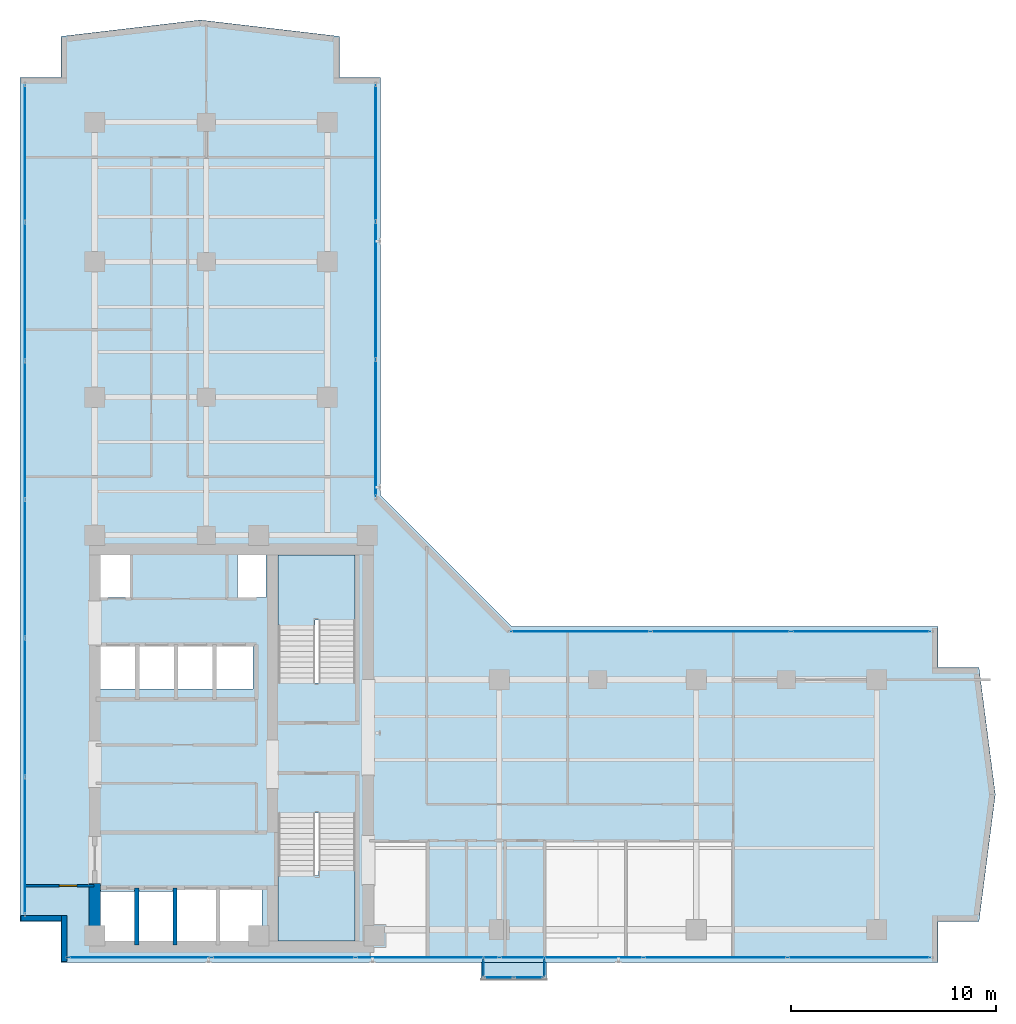
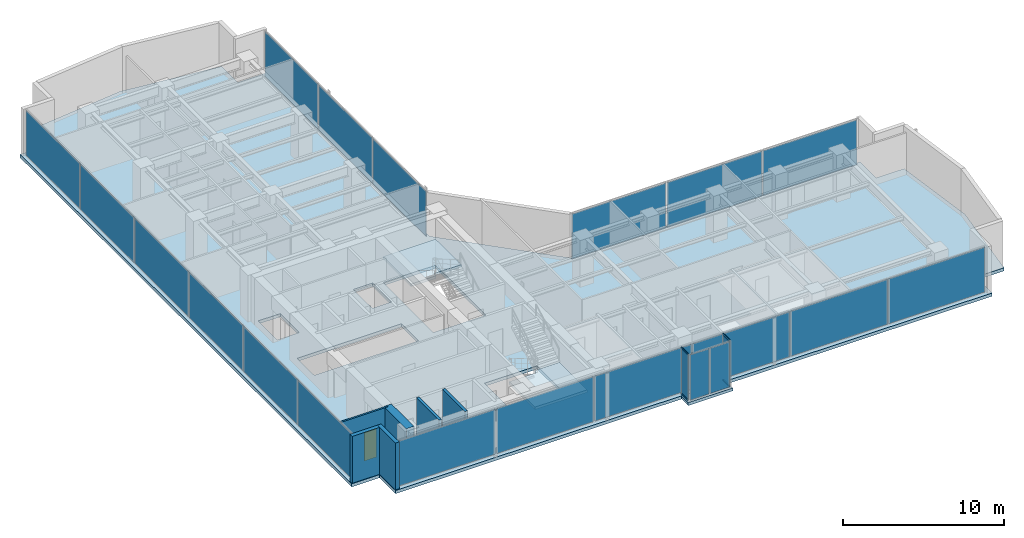
# One storey, part 16 of 22: 22 plates, 6 walls, 4 members, 4 slabs, 1 door, 1 opening, 9 elements without a shape of their own.
"""IFC4 building model written with IfcOpenShell, lengths in metres."""

from ifc_helpers import new_model, si_unit, direction, frame, frame_2d, origin, origin_with_axes, origin_2d, place, context, subcontext, project, spatial, polyline, rectangle, hollow_rectangle, outline, extrude, source, transform, mapped, material, layer, layer_set, material_profile, profile_set, type_object, element, fill, aggregate, save


model = new_model("IFC4")

# Units and contexts
model_context = context("Model", 3, precision=1e-05, world=origin(), true_north=direction((0.0, 1.0)))
body_context = subcontext(model_context, "Body", "Model", "MODEL_VIEW")
ifc_project = project(units=[si_unit("LENGTHUNIT", "METRE"), si_unit("AREAUNIT", "SQUARE_METRE"), si_unit("VOLUMEUNIT", "CUBIC_METRE"), si_unit("PLANEANGLEUNIT", "RADIAN"), si_unit("MASSUNIT", "GRAM", prefix="KILO")], contexts=[model_context])

# Site, building, storey
site_placement = place(None, origin())
site = spatial("IfcSite", under=ifc_project, at=site_placement, CompositionType="ELEMENT")
building_placement = place(site_placement, origin())
building = spatial("IfcBuilding", under=site, at=building_placement, Name="Kolvaren Waterfront Exchange", CompositionType="ELEMENT")
storey_placement = place(building_placement, frame((0.0, 0.0, 246.300048828125)))
storey = spatial("IfcBuildingStorey", under=building, at=storey_placement, Name="L63", CompositionType="ELEMENT", Elevation=246.300048828125)

# Curtain wall, members
ifc_material_1 = material(Name="Anodised bronze aluminium 6063-T6", Category="aluminium")
ifc_layer_1 = layer(ifc_material_1, 0.219970703125, Name="Anodised bronze aluminium 6063-T6")
ifc_layer_set_1 = layer_set([ifc_layer_1], Name="Anodised bronze aluminium 6063-T6")
curtain_wall_type_1 = type_object("IfcCurtainWallType", Name="ARC-CW-SYS3", PredefinedType="USERDEFINED", material=ifc_layer_set_1)
curtain_wall_1_placement = place(storey_placement, origin())
curtain_wall_1 = element("IfcCurtainWall", 1, at=curtain_wall_1_placement, inside=storey, type_object=curtain_wall_type_1, Name="L63 stick curtain wall CW3 (CW-L63-BOX-W)", ObjectType="STICK CURTAIN WALL", PredefinedType="USERDEFINED")
ifc_material_profile = material_profile(ifc_material_1, hollow_rectangle(XDim=0.06494140625, YDim=0.1298828125, WallThickness=0.00390625, at=origin_2d()), Name="ALU-TRN-130x65x4")
ifc_profile_set = profile_set([ifc_material_profile], Name="Anodised bronze aluminium 6063-T6")
member_type = type_object("IfcMemberType", Name="ARC-CWT-130", PredefinedType="USERDEFINED", material=ifc_profile_set)
shared_shape_1 = source(origin_with_axes(), body_context, "Body", "SweptSolid", [
    extrude(hollow_rectangle(XDim=0.06494140625, YDim=0.1298828125, WallThickness=0.00390625, at=origin_2d()), origin(), (0.0, 0.0, 1.0), 0.829833984375),
])
member_1_placement = place(storey_placement, frame((26.409912109375, 3.764892578125, 0.032470703125), z_axis=(0.0, -1.0, 0.0), x_axis=(1.0, 0.0, 0.0)))
member_1 = element("IfcMember", 2, at=member_1_placement, type_object=member_type, Name="CW3 transom 1.1", ObjectType="TRANSOM", PredefinedType="USERDEFINED", context=body_context, shape_type="MappedRepresentation", body=[
    mapped(shared_shape_1, transform((0.0, 0.0, 0.0), x_axis=(1.0, 0.0, 0.0), y_axis=(0.0, 1.0, 0.0), z_axis=(0.0, 0.0, 1.0), scale=1.0)),
])
member_2_placement = place(storey_placement, frame((26.409912109375, 3.764892578125, 3.52734375), z_axis=(0.0, -1.0, 0.0), x_axis=(1.0, 0.0, 0.0)))
member_2 = element("IfcMember", 3, at=member_2_placement, type_object=member_type, Name="CW3 transom 1.2", ObjectType="TRANSOM", PredefinedType="USERDEFINED", context=body_context, shape_type="MappedRepresentation", body=[
    mapped(shared_shape_1, transform((0.0, 0.0, 0.0), x_axis=(1.0, 0.0, 0.0), y_axis=(0.0, 1.0, 0.0), z_axis=(0.0, 0.0, 1.0), scale=1.0)),
])

curtain_wall_2_placement = place(storey_placement, origin())
curtain_wall_2 = element("IfcCurtainWall", 4, at=curtain_wall_2_placement, inside=storey, type_object=curtain_wall_type_1, Name="L63 stick curtain wall CW3 (CW-L63-BOX-E)", ObjectType="STICK CURTAIN WALL", PredefinedType="USERDEFINED")
member_3_placement = place(storey_placement, frame((29.389892578125, 2.93505859375, 0.032470703125), z_axis=(0.0, 1.0, 0.0), x_axis=(-1.0, 0.0, 0.0)))
member_3 = element("IfcMember", 5, at=member_3_placement, type_object=member_type, Name="CW3 transom 1.1", ObjectType="TRANSOM", PredefinedType="USERDEFINED", context=body_context, shape_type="MappedRepresentation", body=[
    mapped(shared_shape_1, transform((0.0, 0.0, 0.0), x_axis=(1.0, 0.0, 0.0), y_axis=(0.0, 1.0, 0.0), z_axis=(0.0, 0.0, 1.0), scale=1.0)),
])
member_4_placement = place(storey_placement, frame((29.389892578125, 2.93505859375, 3.52734375), z_axis=(0.0, 1.0, 0.0), x_axis=(-1.0, 0.0, 0.0)))
member_4 = element("IfcMember", 6, at=member_4_placement, type_object=member_type, Name="CW3 transom 1.2", ObjectType="TRANSOM", PredefinedType="USERDEFINED", context=body_context, shape_type="MappedRepresentation", body=[
    mapped(shared_shape_1, transform((0.0, 0.0, 0.0), x_axis=(1.0, 0.0, 0.0), y_axis=(0.0, 1.0, 0.0), z_axis=(0.0, 0.0, 1.0), scale=1.0)),
])

# Stair, slab
ifc_material_2 = material(Name="Concrete C40/50", Category="concrete")
stair_type = type_object("IfcStairType", Name="ARC-STAIR-3800", PredefinedType="HALF_TURN_STAIR", material=ifc_material_2)
stair_1_placement = place(storey_placement, origin())
stair_1 = element("IfcStair", 7, at=stair_1_placement, inside=storey, type_object=stair_type, Name="L63 Smoke-proof exit stair ST1", PredefinedType="HALF_TURN_STAIR")
ifc_layer_2 = layer(ifc_material_2, 0.199951171875, Name="Concrete C40/50")
ifc_layer_set_2 = layer_set([ifc_layer_2], Name="Concrete C40/50")
slab_type_1 = type_object("IfcSlabType", Name="STR-LANDING-200", PredefinedType="LANDING", material=ifc_layer_set_2)
slab_1_placement = place(storey_placement, frame((0.0, 0.0, 1.77587890625)))
slab_1 = element("IfcSlab", 8, at=slab_1_placement, type_object=slab_type_1, Name="ST1 landing 1", PredefinedType="LANDING", context=body_context, shape_type="SweptSolid", body=[
    extrude(outline(polyline([(16.39990234375, 7.840087890625), (16.39990234375, 4.64990234375), (20.159912109375, 4.64990234375), (20.159912109375, 8.10009765625), (18.360107421875, 8.10009765625), (18.360107421875, 7.840087890625), (16.39990234375, 7.840087890625)])), origin(), (0.0, 0.0, 1.0), 0.199951171875),
])
aggregate(stair_1, [slab_1])

stair_2_placement = place(storey_placement, origin())
stair_2 = element("IfcStair", 9, at=stair_2_placement, inside=storey, type_object=stair_type, Name="L63 Smoke-proof exit stair ST2", PredefinedType="HALF_TURN_STAIR")
slab_2_placement = place(storey_placement, frame((0.0, 0.0, 1.77587890625)))
slab_2 = element("IfcSlab", 10, at=slab_2_placement, type_object=slab_type_1, Name="ST2 landing 1", PredefinedType="LANDING", context=body_context, shape_type="SweptSolid", body=[
    extrude(outline(polyline([(20.159912109375, 20.31005859375), (20.159912109375, 23.5), (16.39990234375, 23.5), (16.39990234375, 20.050048828125), (18.199951171875, 20.050048828125), (18.199951171875, 20.31005859375), (20.159912109375, 20.31005859375)])), origin(), (0.0, 0.0, 1.0), 0.199951171875),
])
aggregate(stair_2, [slab_2])

# Slabs
ifc_layer_3 = layer(ifc_material_2, 0.239990234375, Name="Concrete C40/50")
ifc_layer_set_3 = layer_set([ifc_layer_3], Name="Concrete C40/50")
slab_type_2 = type_object("IfcSlabType", Name="STR-SLAB-240", PredefinedType="FLOOR", material=ifc_layer_set_3)
slab_3_placement = place(storey_placement, frame((0.0, 0.0, -0.239990234375)))
element("IfcSlab", 11, at=slab_3_placement, inside=storey, type_object=slab_type_2, Name="L63 structural floor slab", PredefinedType="FLOOR", context=body_context, shape_type="SweptSolid", body=[
    extrude(outline(polyline([(5.800048828125, 3.60009765625), (48.60009765625, 3.60009765625), (48.60009765625, 5.60009765625), (50.60009765625, 5.60009765625), (51.39990234375, 11.800048828125), (50.60009765625, 18.0), (48.60009765625, 18.0), (48.60009765625, 20.0), (27.800048828125, 20.0), (21.39990234375, 26.39990234375), (21.39990234375, 46.800048828125), (19.39990234375, 46.800048828125), (19.39990234375, 48.800048828125), (12.60009765625, 49.60009765625), (5.800048828125, 48.800048828125), (5.800048828125, 46.800048828125), (3.800048828125, 46.800048828125), (3.800048828125, 5.60009765625), (5.800048828125, 5.60009765625), (5.800048828125, 3.60009765625)]), holes=[polyline([(11.320068359375, 7.260009765625), (15.610107421875, 7.260009765625), (15.610107421875, 4.5400390625), (7.719970703125, 4.5400390625), (7.719970703125, 7.06005859375), (11.320068359375, 7.06005859375), (11.320068359375, 7.260009765625)]), polyline([(20.159912109375, 10.89990234375), (20.159912109375, 4.64990234375), (16.39990234375, 4.64990234375), (16.39990234375, 10.89990234375), (20.159912109375, 10.89990234375)]), polyline([(7.669921875, 19.06005859375), (15.159912109375, 19.06005859375), (15.159912109375, 16.93994140625), (7.669921875, 16.93994140625), (7.669921875, 19.06005859375)]), polyline([(16.39990234375, 17.25), (16.39990234375, 23.5), (20.159912109375, 23.5), (20.159912109375, 17.25), (16.39990234375, 17.25)]), polyline([(7.60009765625, 23.780029296875), (9.179931640625, 23.780029296875), (9.179931640625, 21.419921875), (7.60009765625, 21.419921875), (7.60009765625, 23.780029296875)]), polyline([(14.419921875, 23.780029296875), (15.800048828125, 23.780029296875), (15.800048828125, 21.419921875), (14.419921875, 21.419921875), (14.419921875, 23.780029296875)])]), origin(), (0.0, 0.0, 1.0), 0.239990234375),
])
ifc_layer_4 = layer(ifc_material_2, 0.219970703125, Name="Concrete C40/50")
ifc_layer_set_4 = layer_set([ifc_layer_4], Name="Concrete C40/50")
slab_type_3 = type_object("IfcSlabType", Name="STR-TERR-220", PredefinedType="FLOOR", material=ifc_layer_set_4)
slab_4_placement = place(storey_placement, frame((0.0, 0.0, -0.219970703125)))
element("IfcSlab", 12, at=slab_4_placement, inside=storey, type_object=slab_type_3, Name="L63 projecting bay-box floor strip", PredefinedType="FLOOR", context=body_context, shape_type="SweptSolid", body=[
    extrude(outline(polyline([(26.300048828125, 2.75), (29.5, 2.75), (29.5, 3.60009765625), (26.300048828125, 3.60009765625), (26.300048828125, 2.75)])), origin(), (0.0, 0.0, 1.0), 0.219970703125),
])

# Plate
ifc_material_3 = material(Name="Bronze tinted bay-box vision glass", Category="aluminium")
ifc_layer_5 = layer(ifc_material_3, 0.02392578125, Name="Bronze tinted bay-box vision glass")
ifc_layer_set_5 = layer_set([ifc_layer_5], Name="Bronze tinted bay-box vision glass")
plate_type_1 = type_object("IfcPlateType", Name="ARC-CWP-24", PredefinedType="CURTAIN_PANEL", material=ifc_layer_set_5)
shared_shape_2 = source(origin_with_axes(), body_context, "Body", "SweptSolid", [
    extrude(rectangle(XDim=0.830078125, YDim=0.02392578125, at=origin_2d()), origin(), (0.0, 0.0, 1.0), 3.429931640625),
])
plate_1_placement = place(storey_placement, frame((26.409912109375, 3.35009765625, 0.06494140625), z_axis=(0.0, 0.0, 1.0), x_axis=(0.0, -1.0, 0.0)))
plate_1 = element("IfcPlate", 13, at=plate_1_placement, type_object=plate_type_1, Name="CW3 panel 1.1", PredefinedType="CURTAIN_PANEL", context=body_context, shape_type="MappedRepresentation", body=[
    mapped(shared_shape_2, transform((0.0, 0.0, 0.0), x_axis=(1.0, 0.0, 0.0), y_axis=(0.0, 1.0, 0.0), z_axis=(0.0, 0.0, 1.0), scale=1.0)),
])

aggregate(curtain_wall_1, [member_1, member_2, plate_1])

plate_2_placement = place(storey_placement, frame((29.389892578125, 3.35009765625, 0.06494140625), z_axis=(0.0, 0.0, 1.0), x_axis=(0.0, 1.0, 0.0)))
plate_2 = element("IfcPlate", 14, at=plate_2_placement, type_object=plate_type_1, Name="CW3 panel 1.1", PredefinedType="CURTAIN_PANEL", context=body_context, shape_type="MappedRepresentation", body=[
    mapped(shared_shape_2, transform((0.0, 0.0, 0.0), x_axis=(1.0, 0.0, 0.0), y_axis=(0.0, 1.0, 0.0), z_axis=(0.0, 0.0, 1.0), scale=1.0)),
])

aggregate(curtain_wall_2, [member_3, member_4, plate_2])

# Curtain wall, plates
curtain_wall_3_placement = place(storey_placement, origin())
curtain_wall_3 = element("IfcCurtainWall", 15, at=curtain_wall_3_placement, inside=storey, type_object=curtain_wall_type_1, Name="L63 stick curtain wall CW3 (CW-L63-BOX)", ObjectType="STICK CURTAIN WALL", PredefinedType="USERDEFINED")
shared_shape_3 = source(origin_with_axes(), body_context, "Body", "SweptSolid", [
    extrude(rectangle(XDim=1.37744140625, YDim=0.02392578125, at=origin_2d()), origin(), (0.0, 0.0, 1.0), 3.429931640625),
])
plate_3_placement = place(storey_placement, frame((27.173828125, 2.860107421875, 0.06494140625), z_axis=(0.0, 0.0, 1.0), x_axis=(1.0, 0.0, 0.0)))
plate_3 = element("IfcPlate", 16, at=plate_3_placement, type_object=plate_type_1, Name="CW3 panel 1.1", PredefinedType="CURTAIN_PANEL", context=body_context, shape_type="MappedRepresentation", body=[
    mapped(shared_shape_3, transform((0.0, 0.0, 0.0), x_axis=(1.0, 0.0, 0.0), y_axis=(0.0, 1.0, 0.0), z_axis=(0.0, 0.0, 1.0), scale=1.0)),
])
plate_4_placement = place(storey_placement, frame((28.626220703125, 2.860107421875, 0.06494140625), z_axis=(0.0, 0.0, 1.0), x_axis=(1.0, 0.0, 0.0)))
plate_4 = element("IfcPlate", 17, at=plate_4_placement, type_object=plate_type_1, Name="CW3 panel 2.1", PredefinedType="CURTAIN_PANEL", context=body_context, shape_type="MappedRepresentation", body=[
    mapped(shared_shape_3, transform((0.0, 0.0, 0.0), x_axis=(1.0, 0.0, 0.0), y_axis=(0.0, 1.0, 0.0), z_axis=(0.0, 0.0, 1.0), scale=1.0)),
])
aggregate(curtain_wall_3, [plate_3, plate_4])

ifc_material_4 = material(Name="Anodised aluminium 6063-T6", Category="aluminium")
ifc_layer_6 = layer(ifc_material_4, 0.219970703125, Name="Anodised aluminium 6063-T6")
ifc_layer_set_6 = layer_set([ifc_layer_6], Name="Anodised aluminium 6063-T6")
curtain_wall_type_2 = type_object("IfcCurtainWallType", Name="ARC-CW-SYS2", PredefinedType="USERDEFINED", material=ifc_layer_set_6)
curtain_wall_4_placement = place(storey_placement, origin())
curtain_wall_4 = element("IfcCurtainWall", 18, at=curtain_wall_4_placement, inside=storey, type_object=curtain_wall_type_2, Name="L63 stick curtain wall CW2 (CW-L63-W)", ObjectType="STICK CURTAIN WALL", PredefinedType="USERDEFINED")
ifc_material_5 = material(Name="Acoustic laminated vision glass", Category="glass")
ifc_layer_7 = layer(ifc_material_5, 0.031982421875, Name="Acoustic laminated vision glass")
ifc_layer_set_7 = layer_set([ifc_layer_7], Name="Acoustic laminated vision glass")
plate_type_2 = type_object("IfcPlateType", Name="ARC-CWP-32", PredefinedType="CURTAIN_PANEL", material=ifc_layer_set_7)
shared_shape_4 = source(origin_with_axes(), body_context, "Body", "SweptSolid", [
    extrude(rectangle(XDim=6.646728515625, YDim=0.031982421875, at=origin_2d()), origin(), (0.0, 0.0, 1.0), 3.409912109375),
])
plate_5_placement = place(storey_placement, frame((4.0400390625, 9.30322265625, 0.0751953125), z_axis=(0.0, 0.0, 1.0), x_axis=(0.0, 1.0, 0.0)))
plate_5 = element("IfcPlate", 19, at=plate_5_placement, type_object=plate_type_2, Name="CW2 panel 1.1", PredefinedType="CURTAIN_PANEL", context=body_context, shape_type="MappedRepresentation", body=[
    mapped(shared_shape_4, transform((0.0, 0.0, 0.0), x_axis=(1.0, 0.0, 0.0), y_axis=(0.0, 1.0, 0.0), z_axis=(0.0, 0.0, 1.0), scale=1.0)),
])
plate_6_placement = place(storey_placement, frame((4.0400390625, 43.0966796875, 0.0751953125), z_axis=(0.0, 0.0, 1.0), x_axis=(0.0, 1.0, 0.0)))
plate_6 = element("IfcPlate", 20, at=plate_6_placement, type_object=plate_type_2, Name="CW2 panel 6.1", PredefinedType="CURTAIN_PANEL", context=body_context, shape_type="MappedRepresentation", body=[
    mapped(shared_shape_4, transform((0.0, 0.0, 0.0), x_axis=(1.0, 0.0, 0.0), y_axis=(0.0, 1.0, 0.0), z_axis=(0.0, 0.0, 1.0), scale=1.0)),
])
shared_shape_5 = source(origin_with_axes(), body_context, "Body", "SweptSolid", [
    extrude(rectangle(XDim=6.686767578125, YDim=0.031982421875, at=origin_2d()), origin(), (0.0, 0.0, 1.0), 3.409912109375),
])
plate_7_placement = place(storey_placement, frame((4.0400390625, 16.050048828125, 0.0751953125), z_axis=(0.0, 0.0, 1.0), x_axis=(0.0, 1.0, 0.0)))
plate_7 = element("IfcPlate", 21, at=plate_7_placement, type_object=plate_type_2, Name="CW2 panel 2.1", PredefinedType="CURTAIN_PANEL", context=body_context, shape_type="MappedRepresentation", body=[
    mapped(shared_shape_5, transform((0.0, 0.0, 0.0), x_axis=(1.0, 0.0, 0.0), y_axis=(0.0, 1.0, 0.0), z_axis=(0.0, 0.0, 1.0), scale=1.0)),
])
plate_8_placement = place(storey_placement, frame((4.0400390625, 22.816650390625, 0.0751953125), z_axis=(0.0, 0.0, 1.0), x_axis=(0.0, 1.0, 0.0)))
plate_8 = element("IfcPlate", 22, at=plate_8_placement, type_object=plate_type_2, Name="CW2 panel 3.1", PredefinedType="CURTAIN_PANEL", context=body_context, shape_type="MappedRepresentation", body=[
    mapped(shared_shape_5, transform((0.0, 0.0, 0.0), x_axis=(1.0, 0.0, 0.0), y_axis=(0.0, 1.0, 0.0), z_axis=(0.0, 0.0, 1.0), scale=1.0)),
])
plate_9_placement = place(storey_placement, frame((4.0400390625, 29.583251953125, 0.0751953125), z_axis=(0.0, 0.0, 1.0), x_axis=(0.0, 1.0, 0.0)))
plate_9 = element("IfcPlate", 23, at=plate_9_placement, type_object=plate_type_2, Name="CW2 panel 4.1", PredefinedType="CURTAIN_PANEL", context=body_context, shape_type="MappedRepresentation", body=[
    mapped(shared_shape_5, transform((0.0, 0.0, 0.0), x_axis=(1.0, 0.0, 0.0), y_axis=(0.0, 1.0, 0.0), z_axis=(0.0, 0.0, 1.0), scale=1.0)),
])
plate_10_placement = place(storey_placement, frame((4.0400390625, 36.35009765625, 0.0751953125), z_axis=(0.0, 0.0, 1.0), x_axis=(0.0, 1.0, 0.0)))
plate_10 = element("IfcPlate", 24, at=plate_10_placement, type_object=plate_type_2, Name="CW2 panel 5.1", PredefinedType="CURTAIN_PANEL", context=body_context, shape_type="MappedRepresentation", body=[
    mapped(shared_shape_5, transform((0.0, 0.0, 0.0), x_axis=(1.0, 0.0, 0.0), y_axis=(0.0, 1.0, 0.0), z_axis=(0.0, 0.0, 1.0), scale=1.0)),
])
aggregate(curtain_wall_4, [plate_5, plate_7, plate_8, plate_9, plate_10, plate_6])

ifc_layer_8 = layer(ifc_material_1, 0.219970703125, Name="Anodised bronze aluminium 6063-T6")
ifc_layer_set_8 = layer_set([ifc_layer_8], Name="Anodised bronze aluminium 6063-T6")
curtain_wall_type_3 = type_object("IfcCurtainWallType", Name="ARC-CW-SYS1", PredefinedType="USERDEFINED", material=ifc_layer_set_8)
curtain_wall_5_placement = place(storey_placement, origin())
curtain_wall_5 = element("IfcCurtainWall", 25, at=curtain_wall_5_placement, inside=storey, type_object=curtain_wall_type_3, Name="L63 stick curtain wall CW1 (CW-L63-S)", ObjectType="STICK CURTAIN WALL", PredefinedType="USERDEFINED")
ifc_material_6 = material(Name="Bronze solar control vision glass", Category="aluminium")
ifc_layer_9 = layer(ifc_material_6, 0.028076171875, Name="Bronze solar control vision glass")
ifc_layer_set_9 = layer_set([ifc_layer_9], Name="Bronze solar control vision glass")
plate_type_3 = type_object("IfcPlateType", Name="ARC-CWP-28", PredefinedType="CURTAIN_PANEL", material=ifc_layer_set_9)
shared_shape_6 = source(origin_with_axes(), body_context, "Body", "SweptSolid", [
    extrude(rectangle(XDim=6.913330078125, YDim=0.028076171875, at=origin_2d()), origin(), (0.0, 0.0, 1.0), 3.409912109375),
])
plate_11_placement = place(storey_placement, frame((9.63671875, 3.840087890625, 0.0751953125), z_axis=(0.0, 0.0, 1.0), x_axis=(1.0, 0.0, 0.0)))
plate_11 = element("IfcPlate", 26, at=plate_11_placement, type_object=plate_type_3, Name="CW1 panel 1.1", PredefinedType="CURTAIN_PANEL", context=body_context, shape_type="MappedRepresentation", body=[
    mapped(shared_shape_6, transform((0.0, 0.0, 0.0), x_axis=(1.0, 0.0, 0.0), y_axis=(0.0, 1.0, 0.0), z_axis=(0.0, 0.0, 1.0), scale=1.0)),
])
plate_12_placement = place(storey_placement, frame((44.763427734375, 3.840087890625, 0.0751953125), z_axis=(0.0, 0.0, 1.0), x_axis=(1.0, 0.0, 0.0)))
plate_12 = element("IfcPlate", 27, at=plate_12_placement, type_object=plate_type_3, Name="CW1 panel 6.1", PredefinedType="CURTAIN_PANEL", context=body_context, shape_type="MappedRepresentation", body=[
    mapped(shared_shape_6, transform((0.0, 0.0, 0.0), x_axis=(1.0, 0.0, 0.0), y_axis=(0.0, 1.0, 0.0), z_axis=(0.0, 0.0, 1.0), scale=1.0)),
])
shared_shape_7 = source(origin_with_axes(), body_context, "Body", "SweptSolid", [
    extrude(rectangle(XDim=6.953369140625, YDim=0.028076171875, at=origin_2d()), origin(), (0.0, 0.0, 1.0), 3.409912109375),
])
plate_13_placement = place(storey_placement, frame((16.64990234375, 3.840087890625, 0.0751953125), z_axis=(0.0, 0.0, 1.0), x_axis=(1.0, 0.0, 0.0)))
plate_13 = element("IfcPlate", 28, at=plate_13_placement, type_object=plate_type_3, Name="CW1 panel 2.1", PredefinedType="CURTAIN_PANEL", context=body_context, shape_type="MappedRepresentation", body=[
    mapped(shared_shape_7, transform((0.0, 0.0, 0.0), x_axis=(1.0, 0.0, 0.0), y_axis=(0.0, 1.0, 0.0), z_axis=(0.0, 0.0, 1.0), scale=1.0)),
])
plate_14_placement = place(storey_placement, frame((23.683349609375, 3.840087890625, 0.0751953125), z_axis=(0.0, 0.0, 1.0), x_axis=(1.0, 0.0, 0.0)))
plate_14 = element("IfcPlate", 29, at=plate_14_placement, type_object=plate_type_3, Name="CW1 panel 3.1", PredefinedType="CURTAIN_PANEL", context=body_context, shape_type="MappedRepresentation", body=[
    mapped(shared_shape_7, transform((0.0, 0.0, 0.0), x_axis=(1.0, 0.0, 0.0), y_axis=(0.0, 1.0, 0.0), z_axis=(0.0, 0.0, 1.0), scale=1.0)),
])
plate_15_placement = place(storey_placement, frame((30.716552734375, 3.840087890625, 0.0751953125), z_axis=(0.0, 0.0, 1.0), x_axis=(1.0, 0.0, 0.0)))
plate_15 = element("IfcPlate", 30, at=plate_15_placement, type_object=plate_type_3, Name="CW1 panel 4.1", PredefinedType="CURTAIN_PANEL", context=body_context, shape_type="MappedRepresentation", body=[
    mapped(shared_shape_7, transform((0.0, 0.0, 0.0), x_axis=(1.0, 0.0, 0.0), y_axis=(0.0, 1.0, 0.0), z_axis=(0.0, 0.0, 1.0), scale=1.0)),
])
plate_16_placement = place(storey_placement, frame((37.75, 3.840087890625, 0.0751953125), z_axis=(0.0, 0.0, 1.0), x_axis=(1.0, 0.0, 0.0)))
plate_16 = element("IfcPlate", 31, at=plate_16_placement, type_object=plate_type_3, Name="CW1 panel 5.1", PredefinedType="CURTAIN_PANEL", context=body_context, shape_type="MappedRepresentation", body=[
    mapped(shared_shape_7, transform((0.0, 0.0, 0.0), x_axis=(1.0, 0.0, 0.0), y_axis=(0.0, 1.0, 0.0), z_axis=(0.0, 0.0, 1.0), scale=1.0)),
])
aggregate(curtain_wall_5, [plate_11, plate_13, plate_14, plate_15, plate_16, plate_12])

curtain_wall_6_placement = place(storey_placement, origin())
curtain_wall_6 = element("IfcCurtainWall", 32, at=curtain_wall_6_placement, inside=storey, type_object=curtain_wall_type_3, Name="L63 stick curtain wall CW1 (CW-L63-NE)", ObjectType="STICK CURTAIN WALL", PredefinedType="USERDEFINED")
shared_shape_8 = source(origin_with_axes(), body_context, "Body", "SweptSolid", [
    extrude(rectangle(XDim=6.61669921875, YDim=0.028076171875, at=origin_2d()), origin(), (0.0, 0.0, 1.0), 3.409912109375),
])
plate_17_placement = place(storey_placement, frame((21.159912109375, 29.67822265625, 0.0751953125), z_axis=(0.0, 0.0, 1.0), x_axis=(0.0, 1.0, 0.0)))
plate_17 = element("IfcPlate", 33, at=plate_17_placement, type_object=plate_type_3, Name="CW1 panel 1.1", PredefinedType="CURTAIN_PANEL", context=body_context, shape_type="MappedRepresentation", body=[
    mapped(shared_shape_8, transform((0.0, 0.0, 0.0), x_axis=(1.0, 0.0, 0.0), y_axis=(0.0, 1.0, 0.0), z_axis=(0.0, 0.0, 1.0), scale=1.0)),
])
plate_18_placement = place(storey_placement, frame((21.159912109375, 43.111572265625, 0.0751953125), z_axis=(0.0, 0.0, 1.0), x_axis=(0.0, 1.0, 0.0)))
plate_18 = element("IfcPlate", 34, at=plate_18_placement, type_object=plate_type_3, Name="CW1 panel 3.1", PredefinedType="CURTAIN_PANEL", context=body_context, shape_type="MappedRepresentation", body=[
    mapped(shared_shape_8, transform((0.0, 0.0, 0.0), x_axis=(1.0, 0.0, 0.0), y_axis=(0.0, 1.0, 0.0), z_axis=(0.0, 0.0, 1.0), scale=1.0)),
])
shared_shape_9 = source(origin_with_axes(), body_context, "Body", "SweptSolid", [
    extrude(rectangle(XDim=6.65673828125, YDim=0.028076171875, at=origin_2d()), origin(), (0.0, 0.0, 1.0), 3.409912109375),
])
plate_19_placement = place(storey_placement, frame((21.159912109375, 36.39501953125, 0.0751953125), z_axis=(0.0, 0.0, 1.0), x_axis=(0.0, 1.0, 0.0)))
plate_19 = element("IfcPlate", 35, at=plate_19_placement, type_object=plate_type_3, Name="CW1 panel 2.1", PredefinedType="CURTAIN_PANEL", context=body_context, shape_type="MappedRepresentation", body=[
    mapped(shared_shape_9, transform((0.0, 0.0, 0.0), x_axis=(1.0, 0.0, 0.0), y_axis=(0.0, 1.0, 0.0), z_axis=(0.0, 0.0, 1.0), scale=1.0)),
])
aggregate(curtain_wall_6, [plate_17, plate_19, plate_18])

curtain_wall_7_placement = place(storey_placement, origin())
curtain_wall_7 = element("IfcCurtainWall", 36, at=curtain_wall_7_placement, inside=storey, type_object=curtain_wall_type_3, Name="L63 stick curtain wall CW1 (CW-L63-EN)", ObjectType="STICK CURTAIN WALL", PredefinedType="USERDEFINED")
shared_shape_10 = source(origin_with_axes(), body_context, "Body", "SweptSolid", [
    extrude(rectangle(XDim=6.75, YDim=0.028076171875, at=origin_2d()), origin(), (0.0, 0.0, 1.0), 3.409912109375),
])
plate_20_placement = place(storey_placement, frame((31.14501953125, 19.760009765625, 0.0751953125), z_axis=(0.0, 0.0, 1.0), x_axis=(1.0, 0.0, 0.0)))
plate_20 = element("IfcPlate", 37, at=plate_20_placement, type_object=plate_type_3, Name="CW1 panel 1.1", PredefinedType="CURTAIN_PANEL", context=body_context, shape_type="MappedRepresentation", body=[
    mapped(shared_shape_10, transform((0.0, 0.0, 0.0), x_axis=(1.0, 0.0, 0.0), y_axis=(0.0, 1.0, 0.0), z_axis=(0.0, 0.0, 1.0), scale=1.0)),
])
plate_21_placement = place(storey_placement, frame((44.844970703125, 19.760009765625, 0.0751953125), z_axis=(0.0, 0.0, 1.0), x_axis=(1.0, 0.0, 0.0)))
plate_21 = element("IfcPlate", 38, at=plate_21_placement, type_object=plate_type_3, Name="CW1 panel 3.1", PredefinedType="CURTAIN_PANEL", context=body_context, shape_type="MappedRepresentation", body=[
    mapped(shared_shape_10, transform((0.0, 0.0, 0.0), x_axis=(1.0, 0.0, 0.0), y_axis=(0.0, 1.0, 0.0), z_axis=(0.0, 0.0, 1.0), scale=1.0)),
])
shared_shape_11 = source(origin_with_axes(), body_context, "Body", "SweptSolid", [
    extrude(rectangle(XDim=6.7900390625, YDim=0.028076171875, at=origin_2d()), origin(), (0.0, 0.0, 1.0), 3.409912109375),
])
plate_22_placement = place(storey_placement, frame((37.9951171875, 19.760009765625, 0.0751953125), z_axis=(0.0, 0.0, 1.0), x_axis=(1.0, 0.0, 0.0)))
plate_22 = element("IfcPlate", 39, at=plate_22_placement, type_object=plate_type_3, Name="CW1 panel 2.1", PredefinedType="CURTAIN_PANEL", context=body_context, shape_type="MappedRepresentation", body=[
    mapped(shared_shape_11, transform((0.0, 0.0, 0.0), x_axis=(1.0, 0.0, 0.0), y_axis=(0.0, 1.0, 0.0), z_axis=(0.0, 0.0, 1.0), scale=1.0)),
])
aggregate(curtain_wall_7, [plate_20, plate_22, plate_21])

# Walls
ifc_material_7 = material(Name="Precast concrete C40/50", Category="concrete")
ifc_layer_10 = layer(ifc_material_7, 0.280029296875, Name="Precast concrete C40/50")
ifc_layer_set_10 = layer_set([ifc_layer_10], Name="Precast concrete C40/50")
wall_type_1 = type_object("IfcWallType", Name="ARC-EXT-TERR-280", PredefinedType="SOLIDWALL", material=ifc_layer_set_10)
wall_1_placement = place(storey_placement, frame((5.9599609375, 3.659912109375, 0.0), z_axis=(0.0, 0.0, 1.0), x_axis=(0.0, 1.0, 0.0)))
element("IfcWall", 40, at=wall_1_placement, inside=storey, type_object=wall_type_1, Name="L63 notched corner spandrel pier SW-A", PredefinedType="SOLIDWALL", context=body_context, shape_type="SweptSolid", body=[
    extrude(rectangle(XDim=2.239990234375, YDim=0.280029296875, at=frame_2d((1.1201171875, 0.0))), origin(), (0.0, 0.0, 1.0), 3.56005859375),
])
wall_2_placement = place(storey_placement, frame((3.860107421875, 5.760009765625, 0.0), z_axis=(0.0, 0.0, 1.0), x_axis=(1.0, 0.0, 0.0)))
element("IfcWall", 41, at=wall_2_placement, inside=storey, type_object=wall_type_1, Name="L63 notched corner spandrel pier SW-B", PredefinedType="SOLIDWALL", context=body_context, shape_type="SweptSolid", body=[
    extrude(rectangle(XDim=1.9599609375, YDim=0.280029296875, at=frame_2d((0.97998046875, 0.0))), origin(), (0.0, 0.0, 1.0), 3.56005859375),
])

# Wall, opening, door
ifc_material_8 = material(Name="Acoustic gypsum steel stud", Category="steel")
ifc_layer_11 = layer(ifc_material_8, 0.125, Name="Acoustic gypsum steel stud")
ifc_layer_set_11 = layer_set([ifc_layer_11], Name="Acoustic gypsum steel stud")
wall_type_2 = type_object("IfcWallType", Name="ARC-PART-125", PredefinedType="PARTITIONING", material=ifc_layer_set_11)
wall_3_placement = place(storey_placement, frame((4.0400390625, 7.35009765625, 0.0), z_axis=(0.0, 0.0, 1.0), x_axis=(1.0, 0.0, 0.0)))
wall_3 = element("IfcWall", 42, at=wall_3_placement, inside=storey, type_object=wall_type_2, Name="L63 interior wall PW-L63-SWC-N", PredefinedType="PARTITIONING", context=body_context, shape_type="SweptSolid", body=[
    extrude(rectangle(XDim=3.35986328125, YDim=0.125, at=frame_2d((1.679931640625, 0.0))), origin(), (0.0, 0.0, 1.0), 3.56005859375),
])
opening_placement = place(wall_3_placement, frame((1.686767578125, 0.0, 0.0)))
opening = element("IfcOpeningElement", 43, at=opening_placement, cuts=wall_3, Name="Opening D01", PredefinedType="OPENING", context=body_context, shape_type="SweptSolid", body=[
    extrude(rectangle(XDim=0.85009765625, YDim=2.14990234375, at=frame_2d((0.425048828125, 1.074951171875))), frame((0.0, 0.072509765625, 0.0), z_axis=(0.0, -1.0, 0.0), x_axis=(1.0, 0.0, 0.0)), (0.0, 0.0, 1.0), 0.14501953125),
])
ifc_material_9 = material(Name="Oak veneer timber leaf", Category="wood")
door_type = type_object("IfcDoorType", Name="ARC-DR-900", OperationType="NOTDEFINED", PredefinedType="DOOR", material=ifc_material_9)
door_placement = place(opening_placement, origin())
door = element("IfcDoor", 44, at=door_placement, inside=storey, type_object=door_type, Name="L63 door DR-L63-SWC-D (D01)", OperationType="SINGLE_SWING_LEFT", OverallHeight=2.14990234375, OverallWidth=0.85009765625, PredefinedType="DOOR", context=body_context, shape_type="SweptSolid", body=[
    extrude(rectangle(XDim=0.85009765625, YDim=2.14990234375, at=frame_2d((0.425048828125, 1.074951171875))), frame((0.0, 0.02490234375, 0.0), z_axis=(0.0, -1.0, 0.0), x_axis=(1.0, 0.0, 0.0)), (0.0, 0.0, 1.0), 0.050048828125),
])
fill(opening, door)

# Walls
ifc_layer_12 = layer(ifc_material_2, 0.199951171875, Name="Concrete C40/50")
ifc_layer_set_12 = layer_set([ifc_layer_12], Name="Concrete C40/50")
wall_type_3 = type_object("IfcWallType", Name="ARC-SHAFT-200", PredefinedType="PARTITIONING", material=ifc_layer_set_12)
for number, where, z_axis, x_axis, name in (
    (45, (9.5, 4.449951171875, 0.0), (0.0, 0.0, 1.0), (0.0, 1.0, 0.0), "L63 interior wall PW-L63-SH1-DIV-95"),
    (46, (11.360107421875, 4.449951171875, 0.0), (0.0, 0.0, 1.0), (0.0, 1.0, 0.0), "L63 interior wall PW-L63-SH1-DIV-113"),
):
    element("IfcWall", number, at=place(storey_placement, frame(where, z_axis=z_axis, x_axis=x_axis)), inside=storey, type_object=wall_type_3, Name=name, PredefinedType="PARTITIONING", context=body_context, shape_type="SweptSolid", body=[
        extrude(rectangle(XDim=2.800048828125, YDim=0.199951171875, at=frame_2d((1.39990234375, 0.0))), origin(), (0.0, 0.0, 1.0), 3.56005859375),
    ])
ifc_material_10 = material(Name="Concrete C50/60", Category="concrete")
ifc_layer_13 = layer(ifc_material_10, 0.550048828125, Name="Concrete C50/60")
ifc_layer_set_13 = layer_set([ifc_layer_13], Name="Concrete C50/60")
wall_type_4 = type_object("IfcWallType", Name="STR-CWALL-550", PredefinedType="SHEAR", material=ifc_layer_set_13)
wall_4_placement = place(storey_placement, frame((7.449951171875, 4.64990234375, 0.0), z_axis=(0.0, 0.0, 1.0), x_axis=(0.0, 1.0, 0.0)))
element("IfcWall", 47, at=wall_4_placement, inside=storey, type_object=wall_type_4, Name="L63 rear-core shear wall W1", PredefinedType="SHEAR", context=body_context, shape_type="SweptSolid", body=[
    extrude(rectangle(XDim=2.800048828125, YDim=0.550048828125, at=frame_2d((1.39990234375, 0.0))), origin(), (0.0, 0.0, 1.0), 3.56005859375),
])

save(model, "model.ifc")
